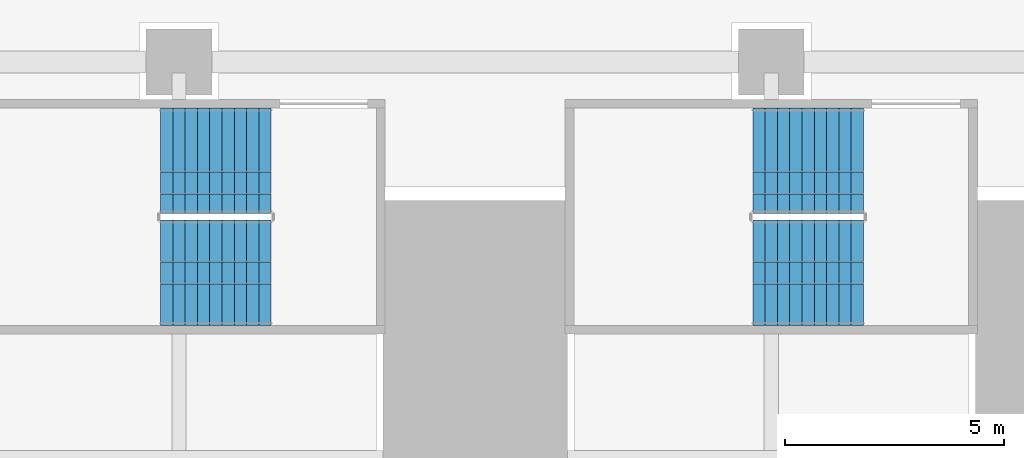
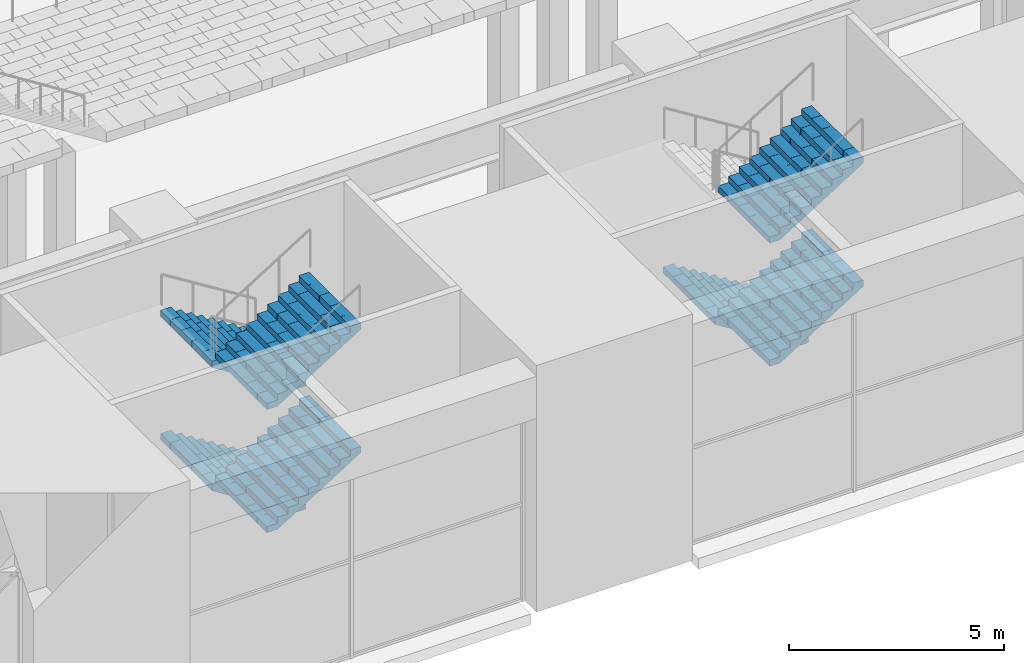
# One storey, part 43 of 62: 7 stair flights, 2 elements without a shape of their own.
"""IFC4 building model written with IfcOpenShell, lengths in metres."""

from ifc_helpers import new_model, si_unit, direction, frame, origin, place, context, subcontext, project, spatial, polyline, outline, extrude, material, type_object, element, aggregate, save


model = new_model("IFC4")

# Units and contexts
model_context = context("Model", 3, precision=1e-05, world=origin(), true_north=direction((0.0, 1.0)))
body_context = subcontext(model_context, "Body", "Model", "MODEL_VIEW")
ifc_project = project(units=[si_unit("LENGTHUNIT", "METRE"), si_unit("AREAUNIT", "SQUARE_METRE"), si_unit("VOLUMEUNIT", "CUBIC_METRE"), si_unit("PLANEANGLEUNIT", "RADIAN"), si_unit("MASSUNIT", "GRAM", prefix="KILO")], contexts=[model_context])

# Site, building, storey
site_placement = place(None, origin())
site = spatial("IfcSite", under=ifc_project, at=site_placement, CompositionType="ELEMENT")
building_placement = place(site_placement, origin())
building = spatial("IfcBuilding", under=site, at=building_placement, Name="Corbelhall Arena Tower", CompositionType="ELEMENT")
storey_placement = place(building_placement, frame((0.0, 0.0, 12.0)))
storey = spatial("IfcBuildingStorey", under=building, at=storey_placement, Name="L01", CompositionType="ELEMENT", Elevation=12.0)

# Stair, stair flights
ifc_material = material(Name="Reinforced concrete C40/50", Category="concrete")
stair_type = type_object("IfcStairType", Name="AR-EXIT-STAIR", PredefinedType="HALF_TURN_STAIR", material=ifc_material)
stair_1_placement = place(storey_placement, origin())
stair_1 = element("IfcStair", 1, at=stair_1_placement, inside=storey, type_object=stair_type, Name="L01 exit stair AS13", PredefinedType="HALF_TURN_STAIR")
stair_flight_type = type_object("IfcStairFlightType", Name="AR-EXIT-FLIGHT", PredefinedType="STRAIGHT", material=ifc_material)
stair_flight_1_placement = place(storey_placement, frame((-18.14990234375, -31.5, 0.0), z_axis=(0.0, 0.0, 1.0), x_axis=(-1.0, 0.0, 0.0)))
stair_flight_1 = element("IfcStairFlight", 2, at=stair_flight_1_placement, type_object=stair_flight_type, Name="AS13 flight 1", NumberOfRisers=10, NumberOfTreads=9, PredefinedType="STRAIGHT", RiserHeight=0.175, TreadLength=0.28, context=body_context, shape_type="SweptSolid", body=[
    extrude(outline(polyline([(0.0, 0.0), (0.0, 0.175048828125), (0.280029296875, 0.175048828125), (0.280029296875, 0.35009765625), (0.56005859375, 0.35009765625), (0.56005859375, 0.52490234375), (0.840087890625, 0.52490234375), (0.840087890625, 0.699951171875), (1.1201171875, 0.699951171875), (1.1201171875, 0.875), (1.39990234375, 0.875), (1.39990234375, 1.050048828125), (1.679931640625, 1.050048828125), (1.679931640625, 1.22509765625), (1.9599609375, 1.22509765625), (1.9599609375, 1.39990234375), (2.239990234375, 1.39990234375), (2.239990234375, 1.574951171875), (2.52001953125, 1.574951171875), (2.52001953125, 1.75), (2.52001953125, 1.398193359375), (0.28271484375, 0.0), (0.0, 0.0)])), frame((0.0, 1.199951171875, 0.0), z_axis=(0.0, -1.0, 0.0), x_axis=(1.0, 0.0, 0.0)), (0.0, 0.0, 1.0), 0.449951171875),
    extrude(outline(polyline([(0.0, 0.0), (0.0, 0.175048828125), (0.280029296875, 0.175048828125), (0.280029296875, 0.35009765625), (0.56005859375, 0.35009765625), (0.56005859375, 0.52490234375), (0.840087890625, 0.52490234375), (0.840087890625, 0.699951171875), (1.1201171875, 0.699951171875), (1.1201171875, 0.875), (1.39990234375, 0.875), (1.39990234375, 1.050048828125), (1.679931640625, 1.050048828125), (1.679931640625, 1.22509765625), (1.9599609375, 1.22509765625), (1.9599609375, 1.39990234375), (2.239990234375, 1.39990234375), (2.239990234375, 1.574951171875), (2.52001953125, 1.574951171875), (2.52001953125, 1.75), (2.52001953125, 1.398193359375), (0.28271484375, 0.0), (0.0, 0.0)])), frame((0.0, 0.745849609375, 0.0), z_axis=(0.0, -1.0, 0.0), x_axis=(1.0, 0.0, 0.0)), (0.0, 0.0, 1.0), 0.49462890625),
    extrude(outline(polyline([(0.0, 0.0), (0.0, 0.175048828125), (0.280029296875, 0.175048828125), (0.280029296875, 0.35009765625), (0.56005859375, 0.35009765625), (0.56005859375, 0.52490234375), (0.840087890625, 0.52490234375), (0.840087890625, 0.699951171875), (1.1201171875, 0.699951171875), (1.1201171875, 0.875), (1.39990234375, 0.875), (1.39990234375, 1.050048828125), (1.679931640625, 1.050048828125), (1.679931640625, 1.22509765625), (1.9599609375, 1.22509765625), (1.9599609375, 1.39990234375), (2.239990234375, 1.39990234375), (2.239990234375, 1.574951171875), (2.52001953125, 1.574951171875), (2.52001953125, 1.75), (2.52001953125, 1.398193359375), (0.28271484375, 0.0), (0.0, 0.0)])), frame((0.0, 0.247314453125, 0.0), z_axis=(0.0, -1.0, 0.0), x_axis=(1.0, 0.0, 0.0)), (0.0, 0.0, 1.0), 0.49462890625),
    extrude(outline(polyline([(0.0, 0.0), (0.0, 0.175048828125), (0.280029296875, 0.175048828125), (0.280029296875, 0.35009765625), (0.56005859375, 0.35009765625), (0.56005859375, 0.52490234375), (0.840087890625, 0.52490234375), (0.840087890625, 0.699951171875), (1.1201171875, 0.699951171875), (1.1201171875, 0.875), (1.39990234375, 0.875), (1.39990234375, 1.050048828125), (1.679931640625, 1.050048828125), (1.679931640625, 1.22509765625), (1.9599609375, 1.22509765625), (1.9599609375, 1.39990234375), (2.239990234375, 1.39990234375), (2.239990234375, 1.574951171875), (2.52001953125, 1.574951171875), (2.52001953125, 1.75), (2.52001953125, 1.398193359375), (0.28271484375, 0.0), (0.0, 0.0)])), frame((0.0, -0.251220703125, 0.0), z_axis=(0.0, -1.0, 0.0), x_axis=(1.0, 0.0, 0.0)), (0.0, 0.0, 1.0), 0.49462890625),
    extrude(outline(polyline([(0.0, 0.0), (0.0, 0.175048828125), (0.280029296875, 0.175048828125), (0.280029296875, 0.35009765625), (0.56005859375, 0.35009765625), (0.56005859375, 0.52490234375), (0.840087890625, 0.52490234375), (0.840087890625, 0.699951171875), (1.1201171875, 0.699951171875), (1.1201171875, 0.875), (1.39990234375, 0.875), (1.39990234375, 1.050048828125), (1.679931640625, 1.050048828125), (1.679931640625, 1.22509765625), (1.9599609375, 1.22509765625), (1.9599609375, 1.39990234375), (2.239990234375, 1.39990234375), (2.239990234375, 1.574951171875), (2.52001953125, 1.574951171875), (2.52001953125, 1.75), (2.52001953125, 1.398193359375), (0.28271484375, 0.0), (0.0, 0.0)])), frame((0.0, -0.75, 0.0), z_axis=(0.0, -1.0, 0.0), x_axis=(1.0, 0.0, 0.0)), (0.0, 0.0, 1.0), 0.449951171875),
])
stair_flight_2_placement = place(storey_placement, frame((-20.669921875, -34.050048828125, 1.75), z_axis=(0.0, 0.0, 1.0), x_axis=(1.0, 0.0, 0.0)))
stair_flight_2 = element("IfcStairFlight", 3, at=stair_flight_2_placement, type_object=stair_flight_type, Name="AS13 flight 2", NumberOfRisers=10, NumberOfTreads=9, PredefinedType="STRAIGHT", RiserHeight=0.175, TreadLength=0.28, context=body_context, shape_type="SweptSolid", body=[
    extrude(outline(polyline([(0.0, 0.0), (0.0, 0.175048828125), (0.280029296875, 0.175048828125), (0.280029296875, 0.35009765625), (0.56005859375, 0.35009765625), (0.56005859375, 0.52490234375), (0.840087890625, 0.52490234375), (0.840087890625, 0.699951171875), (1.1201171875, 0.699951171875), (1.1201171875, 0.875), (1.39990234375, 0.875), (1.39990234375, 1.050048828125), (1.679931640625, 1.050048828125), (1.679931640625, 1.22509765625), (1.9599609375, 1.22509765625), (1.9599609375, 1.39990234375), (2.239990234375, 1.39990234375), (2.239990234375, 1.574951171875), (2.52001953125, 1.574951171875), (2.52001953125, 1.75), (2.52001953125, 1.398193359375), (0.28271484375, 0.0), (0.0, 0.0)])), frame((0.0, 1.199951171875, 0.0), z_axis=(0.0, -1.0, 0.0), x_axis=(1.0, 0.0, 0.0)), (0.0, 0.0, 1.0), 0.449951171875),
    extrude(outline(polyline([(0.0, 0.0), (0.0, 0.175048828125), (0.280029296875, 0.175048828125), (0.280029296875, 0.35009765625), (0.56005859375, 0.35009765625), (0.56005859375, 0.52490234375), (0.840087890625, 0.52490234375), (0.840087890625, 0.699951171875), (1.1201171875, 0.699951171875), (1.1201171875, 0.875), (1.39990234375, 0.875), (1.39990234375, 1.050048828125), (1.679931640625, 1.050048828125), (1.679931640625, 1.22509765625), (1.9599609375, 1.22509765625), (1.9599609375, 1.39990234375), (2.239990234375, 1.39990234375), (2.239990234375, 1.574951171875), (2.52001953125, 1.574951171875), (2.52001953125, 1.75), (2.52001953125, 1.398193359375), (0.28271484375, 0.0), (0.0, 0.0)])), frame((0.0, 0.745849609375, 0.0), z_axis=(0.0, -1.0, 0.0), x_axis=(1.0, 0.0, 0.0)), (0.0, 0.0, 1.0), 0.49462890625),
    extrude(outline(polyline([(0.0, 0.0), (0.0, 0.175048828125), (0.280029296875, 0.175048828125), (0.280029296875, 0.35009765625), (0.56005859375, 0.35009765625), (0.56005859375, 0.52490234375), (0.840087890625, 0.52490234375), (0.840087890625, 0.699951171875), (1.1201171875, 0.699951171875), (1.1201171875, 0.875), (1.39990234375, 0.875), (1.39990234375, 1.050048828125), (1.679931640625, 1.050048828125), (1.679931640625, 1.22509765625), (1.9599609375, 1.22509765625), (1.9599609375, 1.39990234375), (2.239990234375, 1.39990234375), (2.239990234375, 1.574951171875), (2.52001953125, 1.574951171875), (2.52001953125, 1.75), (2.52001953125, 1.398193359375), (0.28271484375, 0.0), (0.0, 0.0)])), frame((0.0, 0.247314453125, 0.0), z_axis=(0.0, -1.0, 0.0), x_axis=(1.0, 0.0, 0.0)), (0.0, 0.0, 1.0), 0.49462890625),
    extrude(outline(polyline([(0.0, 0.0), (0.0, 0.175048828125), (0.280029296875, 0.175048828125), (0.280029296875, 0.35009765625), (0.56005859375, 0.35009765625), (0.56005859375, 0.52490234375), (0.840087890625, 0.52490234375), (0.840087890625, 0.699951171875), (1.1201171875, 0.699951171875), (1.1201171875, 0.875), (1.39990234375, 0.875), (1.39990234375, 1.050048828125), (1.679931640625, 1.050048828125), (1.679931640625, 1.22509765625), (1.9599609375, 1.22509765625), (1.9599609375, 1.39990234375), (2.239990234375, 1.39990234375), (2.239990234375, 1.574951171875), (2.52001953125, 1.574951171875), (2.52001953125, 1.75), (2.52001953125, 1.398193359375), (0.28271484375, 0.0), (0.0, 0.0)])), frame((0.0, -0.251220703125, 0.0), z_axis=(0.0, -1.0, 0.0), x_axis=(1.0, 0.0, 0.0)), (0.0, 0.0, 1.0), 0.49462890625),
    extrude(outline(polyline([(0.0, 0.0), (0.0, 0.175048828125), (0.280029296875, 0.175048828125), (0.280029296875, 0.35009765625), (0.56005859375, 0.35009765625), (0.56005859375, 0.52490234375), (0.840087890625, 0.52490234375), (0.840087890625, 0.699951171875), (1.1201171875, 0.699951171875), (1.1201171875, 0.875), (1.39990234375, 0.875), (1.39990234375, 1.050048828125), (1.679931640625, 1.050048828125), (1.679931640625, 1.22509765625), (1.9599609375, 1.22509765625), (1.9599609375, 1.39990234375), (2.239990234375, 1.39990234375), (2.239990234375, 1.574951171875), (2.52001953125, 1.574951171875), (2.52001953125, 1.75), (2.52001953125, 1.398193359375), (0.28271484375, 0.0), (0.0, 0.0)])), frame((0.0, -0.75, 0.0), z_axis=(0.0, -1.0, 0.0), x_axis=(1.0, 0.0, 0.0)), (0.0, 0.0, 1.0), 0.449951171875),
])
stair_flight_3_placement = place(storey_placement, frame((-18.14990234375, -31.5, 3.5), z_axis=(0.0, 0.0, 1.0), x_axis=(-1.0, 0.0, 0.0)))
stair_flight_3 = element("IfcStairFlight", 4, at=stair_flight_3_placement, type_object=stair_flight_type, Name="AS13 flight 3", NumberOfRisers=10, NumberOfTreads=9, PredefinedType="STRAIGHT", RiserHeight=0.175, TreadLength=0.28, context=body_context, shape_type="SweptSolid", body=[
    extrude(outline(polyline([(0.0, 0.0), (0.0, 0.175048828125), (0.280029296875, 0.175048828125), (0.280029296875, 0.35009765625), (0.56005859375, 0.35009765625), (0.56005859375, 0.52490234375), (0.840087890625, 0.52490234375), (0.840087890625, 0.699951171875), (1.1201171875, 0.699951171875), (1.1201171875, 0.875), (1.39990234375, 0.875), (1.39990234375, 1.050048828125), (1.679931640625, 1.050048828125), (1.679931640625, 1.22509765625), (1.9599609375, 1.22509765625), (1.9599609375, 1.39990234375), (2.239990234375, 1.39990234375), (2.239990234375, 1.574951171875), (2.52001953125, 1.574951171875), (2.52001953125, 1.75), (2.52001953125, 1.398193359375), (0.28271484375, 0.0), (0.0, 0.0)])), frame((0.0, 1.199951171875, 0.0), z_axis=(0.0, -1.0, 0.0), x_axis=(1.0, 0.0, 0.0)), (0.0, 0.0, 1.0), 0.449951171875),
    extrude(outline(polyline([(0.0, 0.0), (0.0, 0.175048828125), (0.280029296875, 0.175048828125), (0.280029296875, 0.35009765625), (0.56005859375, 0.35009765625), (0.56005859375, 0.52490234375), (0.840087890625, 0.52490234375), (0.840087890625, 0.699951171875), (1.1201171875, 0.699951171875), (1.1201171875, 0.875), (1.39990234375, 0.875), (1.39990234375, 1.050048828125), (1.679931640625, 1.050048828125), (1.679931640625, 1.22509765625), (1.9599609375, 1.22509765625), (1.9599609375, 1.39990234375), (2.239990234375, 1.39990234375), (2.239990234375, 1.574951171875), (2.52001953125, 1.574951171875), (2.52001953125, 1.75), (2.52001953125, 1.398193359375), (0.28271484375, 0.0), (0.0, 0.0)])), frame((0.0, 0.745849609375, 0.0), z_axis=(0.0, -1.0, 0.0), x_axis=(1.0, 0.0, 0.0)), (0.0, 0.0, 1.0), 0.49462890625),
    extrude(outline(polyline([(0.0, 0.0), (0.0, 0.175048828125), (0.280029296875, 0.175048828125), (0.280029296875, 0.35009765625), (0.56005859375, 0.35009765625), (0.56005859375, 0.52490234375), (0.840087890625, 0.52490234375), (0.840087890625, 0.699951171875), (1.1201171875, 0.699951171875), (1.1201171875, 0.875), (1.39990234375, 0.875), (1.39990234375, 1.050048828125), (1.679931640625, 1.050048828125), (1.679931640625, 1.22509765625), (1.9599609375, 1.22509765625), (1.9599609375, 1.39990234375), (2.239990234375, 1.39990234375), (2.239990234375, 1.574951171875), (2.52001953125, 1.574951171875), (2.52001953125, 1.75), (2.52001953125, 1.398193359375), (0.28271484375, 0.0), (0.0, 0.0)])), frame((0.0, 0.247314453125, 0.0), z_axis=(0.0, -1.0, 0.0), x_axis=(1.0, 0.0, 0.0)), (0.0, 0.0, 1.0), 0.49462890625),
    extrude(outline(polyline([(0.0, 0.0), (0.0, 0.175048828125), (0.280029296875, 0.175048828125), (0.280029296875, 0.35009765625), (0.56005859375, 0.35009765625), (0.56005859375, 0.52490234375), (0.840087890625, 0.52490234375), (0.840087890625, 0.699951171875), (1.1201171875, 0.699951171875), (1.1201171875, 0.875), (1.39990234375, 0.875), (1.39990234375, 1.050048828125), (1.679931640625, 1.050048828125), (1.679931640625, 1.22509765625), (1.9599609375, 1.22509765625), (1.9599609375, 1.39990234375), (2.239990234375, 1.39990234375), (2.239990234375, 1.574951171875), (2.52001953125, 1.574951171875), (2.52001953125, 1.75), (2.52001953125, 1.398193359375), (0.28271484375, 0.0), (0.0, 0.0)])), frame((0.0, -0.251220703125, 0.0), z_axis=(0.0, -1.0, 0.0), x_axis=(1.0, 0.0, 0.0)), (0.0, 0.0, 1.0), 0.49462890625),
    extrude(outline(polyline([(0.0, 0.0), (0.0, 0.175048828125), (0.280029296875, 0.175048828125), (0.280029296875, 0.35009765625), (0.56005859375, 0.35009765625), (0.56005859375, 0.52490234375), (0.840087890625, 0.52490234375), (0.840087890625, 0.699951171875), (1.1201171875, 0.699951171875), (1.1201171875, 0.875), (1.39990234375, 0.875), (1.39990234375, 1.050048828125), (1.679931640625, 1.050048828125), (1.679931640625, 1.22509765625), (1.9599609375, 1.22509765625), (1.9599609375, 1.39990234375), (2.239990234375, 1.39990234375), (2.239990234375, 1.574951171875), (2.52001953125, 1.574951171875), (2.52001953125, 1.75), (2.52001953125, 1.398193359375), (0.28271484375, 0.0), (0.0, 0.0)])), frame((0.0, -0.75, 0.0), z_axis=(0.0, -1.0, 0.0), x_axis=(1.0, 0.0, 0.0)), (0.0, 0.0, 1.0), 0.449951171875),
])
stair_flight_4_placement = place(storey_placement, frame((-20.669921875, -34.050048828125, 5.25), z_axis=(0.0, 0.0, 1.0), x_axis=(1.0, 0.0, 0.0)))
stair_flight_4 = element("IfcStairFlight", 5, at=stair_flight_4_placement, type_object=stair_flight_type, Name="AS13 flight 4", NumberOfRisers=10, NumberOfTreads=9, PredefinedType="STRAIGHT", RiserHeight=0.175, TreadLength=0.28, context=body_context, shape_type="SweptSolid", body=[
    extrude(outline(polyline([(0.0, 0.0), (0.0, 0.175048828125), (0.280029296875, 0.175048828125), (0.280029296875, 0.35009765625), (0.56005859375, 0.35009765625), (0.56005859375, 0.52490234375), (0.840087890625, 0.52490234375), (0.840087890625, 0.699951171875), (1.1201171875, 0.699951171875), (1.1201171875, 0.875), (1.39990234375, 0.875), (1.39990234375, 1.050048828125), (1.679931640625, 1.050048828125), (1.679931640625, 1.22509765625), (1.9599609375, 1.22509765625), (1.9599609375, 1.39990234375), (2.239990234375, 1.39990234375), (2.239990234375, 1.574951171875), (2.52001953125, 1.574951171875), (2.52001953125, 1.75), (2.52001953125, 1.398193359375), (0.28271484375, 0.0), (0.0, 0.0)])), frame((0.0, 1.199951171875, 0.0), z_axis=(0.0, -1.0, 0.0), x_axis=(1.0, 0.0, 0.0)), (0.0, 0.0, 1.0), 0.449951171875),
    extrude(outline(polyline([(0.0, 0.0), (0.0, 0.175048828125), (0.280029296875, 0.175048828125), (0.280029296875, 0.35009765625), (0.56005859375, 0.35009765625), (0.56005859375, 0.52490234375), (0.840087890625, 0.52490234375), (0.840087890625, 0.699951171875), (1.1201171875, 0.699951171875), (1.1201171875, 0.875), (1.39990234375, 0.875), (1.39990234375, 1.050048828125), (1.679931640625, 1.050048828125), (1.679931640625, 1.22509765625), (1.9599609375, 1.22509765625), (1.9599609375, 1.39990234375), (2.239990234375, 1.39990234375), (2.239990234375, 1.574951171875), (2.52001953125, 1.574951171875), (2.52001953125, 1.75), (2.52001953125, 1.398193359375), (0.28271484375, 0.0), (0.0, 0.0)])), frame((0.0, 0.745849609375, 0.0), z_axis=(0.0, -1.0, 0.0), x_axis=(1.0, 0.0, 0.0)), (0.0, 0.0, 1.0), 0.49462890625),
    extrude(outline(polyline([(0.0, 0.0), (0.0, 0.175048828125), (0.280029296875, 0.175048828125), (0.280029296875, 0.35009765625), (0.56005859375, 0.35009765625), (0.56005859375, 0.52490234375), (0.840087890625, 0.52490234375), (0.840087890625, 0.699951171875), (1.1201171875, 0.699951171875), (1.1201171875, 0.875), (1.39990234375, 0.875), (1.39990234375, 1.050048828125), (1.679931640625, 1.050048828125), (1.679931640625, 1.22509765625), (1.9599609375, 1.22509765625), (1.9599609375, 1.39990234375), (2.239990234375, 1.39990234375), (2.239990234375, 1.574951171875), (2.52001953125, 1.574951171875), (2.52001953125, 1.75), (2.52001953125, 1.398193359375), (0.28271484375, 0.0), (0.0, 0.0)])), frame((0.0, 0.247314453125, 0.0), z_axis=(0.0, -1.0, 0.0), x_axis=(1.0, 0.0, 0.0)), (0.0, 0.0, 1.0), 0.49462890625),
    extrude(outline(polyline([(0.0, 0.0), (0.0, 0.175048828125), (0.280029296875, 0.175048828125), (0.280029296875, 0.35009765625), (0.56005859375, 0.35009765625), (0.56005859375, 0.52490234375), (0.840087890625, 0.52490234375), (0.840087890625, 0.699951171875), (1.1201171875, 0.699951171875), (1.1201171875, 0.875), (1.39990234375, 0.875), (1.39990234375, 1.050048828125), (1.679931640625, 1.050048828125), (1.679931640625, 1.22509765625), (1.9599609375, 1.22509765625), (1.9599609375, 1.39990234375), (2.239990234375, 1.39990234375), (2.239990234375, 1.574951171875), (2.52001953125, 1.574951171875), (2.52001953125, 1.75), (2.52001953125, 1.398193359375), (0.28271484375, 0.0), (0.0, 0.0)])), frame((0.0, -0.251220703125, 0.0), z_axis=(0.0, -1.0, 0.0), x_axis=(1.0, 0.0, 0.0)), (0.0, 0.0, 1.0), 0.49462890625),
    extrude(outline(polyline([(0.0, 0.0), (0.0, 0.175048828125), (0.280029296875, 0.175048828125), (0.280029296875, 0.35009765625), (0.56005859375, 0.35009765625), (0.56005859375, 0.52490234375), (0.840087890625, 0.52490234375), (0.840087890625, 0.699951171875), (1.1201171875, 0.699951171875), (1.1201171875, 0.875), (1.39990234375, 0.875), (1.39990234375, 1.050048828125), (1.679931640625, 1.050048828125), (1.679931640625, 1.22509765625), (1.9599609375, 1.22509765625), (1.9599609375, 1.39990234375), (2.239990234375, 1.39990234375), (2.239990234375, 1.574951171875), (2.52001953125, 1.574951171875), (2.52001953125, 1.75), (2.52001953125, 1.398193359375), (0.28271484375, 0.0), (0.0, 0.0)])), frame((0.0, -0.75, 0.0), z_axis=(0.0, -1.0, 0.0), x_axis=(1.0, 0.0, 0.0)), (0.0, 0.0, 1.0), 0.449951171875),
])
aggregate(stair_1, [stair_flight_1, stair_flight_2, stair_flight_3, stair_flight_4])

stair_2_placement = place(storey_placement, origin())
stair_2 = element("IfcStair", 6, at=stair_2_placement, inside=storey, type_object=stair_type, Name="L01 exit stair AS14", PredefinedType="HALF_TURN_STAIR")
stair_flight_5_placement = place(storey_placement, frame((-4.64990234375, -31.5, 0.0), z_axis=(0.0, 0.0, 1.0), x_axis=(-1.0, 0.0, 0.0)))
stair_flight_5 = element("IfcStairFlight", 7, at=stair_flight_5_placement, type_object=stair_flight_type, Name="AS14 flight 1", NumberOfRisers=10, NumberOfTreads=9, PredefinedType="STRAIGHT", RiserHeight=0.175, TreadLength=0.28, context=body_context, shape_type="SweptSolid", body=[
    extrude(outline(polyline([(0.0, 0.0), (0.0, 0.175048828125), (0.280029296875, 0.175048828125), (0.280029296875, 0.35009765625), (0.56005859375, 0.35009765625), (0.56005859375, 0.52490234375), (0.840087890625, 0.52490234375), (0.840087890625, 0.699951171875), (1.1201171875, 0.699951171875), (1.1201171875, 0.875), (1.39990234375, 0.875), (1.39990234375, 1.050048828125), (1.679931640625, 1.050048828125), (1.679931640625, 1.22509765625), (1.9599609375, 1.22509765625), (1.9599609375, 1.39990234375), (2.239990234375, 1.39990234375), (2.239990234375, 1.574951171875), (2.52001953125, 1.574951171875), (2.52001953125, 1.75), (2.52001953125, 1.398193359375), (0.28271484375, 0.0), (0.0, 0.0)])), frame((0.0, 1.199951171875, 0.0), z_axis=(0.0, -1.0, 0.0), x_axis=(1.0, 0.0, 0.0)), (0.0, 0.0, 1.0), 0.449951171875),
    extrude(outline(polyline([(0.0, 0.0), (0.0, 0.175048828125), (0.280029296875, 0.175048828125), (0.280029296875, 0.35009765625), (0.56005859375, 0.35009765625), (0.56005859375, 0.52490234375), (0.840087890625, 0.52490234375), (0.840087890625, 0.699951171875), (1.1201171875, 0.699951171875), (1.1201171875, 0.875), (1.39990234375, 0.875), (1.39990234375, 1.050048828125), (1.679931640625, 1.050048828125), (1.679931640625, 1.22509765625), (1.9599609375, 1.22509765625), (1.9599609375, 1.39990234375), (2.239990234375, 1.39990234375), (2.239990234375, 1.574951171875), (2.52001953125, 1.574951171875), (2.52001953125, 1.75), (2.52001953125, 1.398193359375), (0.28271484375, 0.0), (0.0, 0.0)])), frame((0.0, 0.745849609375, 0.0), z_axis=(0.0, -1.0, 0.0), x_axis=(1.0, 0.0, 0.0)), (0.0, 0.0, 1.0), 0.49462890625),
    extrude(outline(polyline([(0.0, 0.0), (0.0, 0.175048828125), (0.280029296875, 0.175048828125), (0.280029296875, 0.35009765625), (0.56005859375, 0.35009765625), (0.56005859375, 0.52490234375), (0.840087890625, 0.52490234375), (0.840087890625, 0.699951171875), (1.1201171875, 0.699951171875), (1.1201171875, 0.875), (1.39990234375, 0.875), (1.39990234375, 1.050048828125), (1.679931640625, 1.050048828125), (1.679931640625, 1.22509765625), (1.9599609375, 1.22509765625), (1.9599609375, 1.39990234375), (2.239990234375, 1.39990234375), (2.239990234375, 1.574951171875), (2.52001953125, 1.574951171875), (2.52001953125, 1.75), (2.52001953125, 1.398193359375), (0.28271484375, 0.0), (0.0, 0.0)])), frame((0.0, 0.247314453125, 0.0), z_axis=(0.0, -1.0, 0.0), x_axis=(1.0, 0.0, 0.0)), (0.0, 0.0, 1.0), 0.49462890625),
    extrude(outline(polyline([(0.0, 0.0), (0.0, 0.175048828125), (0.280029296875, 0.175048828125), (0.280029296875, 0.35009765625), (0.56005859375, 0.35009765625), (0.56005859375, 0.52490234375), (0.840087890625, 0.52490234375), (0.840087890625, 0.699951171875), (1.1201171875, 0.699951171875), (1.1201171875, 0.875), (1.39990234375, 0.875), (1.39990234375, 1.050048828125), (1.679931640625, 1.050048828125), (1.679931640625, 1.22509765625), (1.9599609375, 1.22509765625), (1.9599609375, 1.39990234375), (2.239990234375, 1.39990234375), (2.239990234375, 1.574951171875), (2.52001953125, 1.574951171875), (2.52001953125, 1.75), (2.52001953125, 1.398193359375), (0.28271484375, 0.0), (0.0, 0.0)])), frame((0.0, -0.251220703125, 0.0), z_axis=(0.0, -1.0, 0.0), x_axis=(1.0, 0.0, 0.0)), (0.0, 0.0, 1.0), 0.49462890625),
    extrude(outline(polyline([(0.0, 0.0), (0.0, 0.175048828125), (0.280029296875, 0.175048828125), (0.280029296875, 0.35009765625), (0.56005859375, 0.35009765625), (0.56005859375, 0.52490234375), (0.840087890625, 0.52490234375), (0.840087890625, 0.699951171875), (1.1201171875, 0.699951171875), (1.1201171875, 0.875), (1.39990234375, 0.875), (1.39990234375, 1.050048828125), (1.679931640625, 1.050048828125), (1.679931640625, 1.22509765625), (1.9599609375, 1.22509765625), (1.9599609375, 1.39990234375), (2.239990234375, 1.39990234375), (2.239990234375, 1.574951171875), (2.52001953125, 1.574951171875), (2.52001953125, 1.75), (2.52001953125, 1.398193359375), (0.28271484375, 0.0), (0.0, 0.0)])), frame((0.0, -0.75, 0.0), z_axis=(0.0, -1.0, 0.0), x_axis=(1.0, 0.0, 0.0)), (0.0, 0.0, 1.0), 0.449951171875),
])
stair_flight_6_placement = place(storey_placement, frame((-7.169921875, -34.050048828125, 1.75), z_axis=(0.0, 0.0, 1.0), x_axis=(1.0, 0.0, 0.0)))
stair_flight_6 = element("IfcStairFlight", 8, at=stair_flight_6_placement, type_object=stair_flight_type, Name="AS14 flight 2", NumberOfRisers=10, NumberOfTreads=9, PredefinedType="STRAIGHT", RiserHeight=0.175, TreadLength=0.28, context=body_context, shape_type="SweptSolid", body=[
    extrude(outline(polyline([(0.0, 0.0), (0.0, 0.175048828125), (0.280029296875, 0.175048828125), (0.280029296875, 0.35009765625), (0.56005859375, 0.35009765625), (0.56005859375, 0.52490234375), (0.840087890625, 0.52490234375), (0.840087890625, 0.699951171875), (1.1201171875, 0.699951171875), (1.1201171875, 0.875), (1.39990234375, 0.875), (1.39990234375, 1.050048828125), (1.679931640625, 1.050048828125), (1.679931640625, 1.22509765625), (1.9599609375, 1.22509765625), (1.9599609375, 1.39990234375), (2.239990234375, 1.39990234375), (2.239990234375, 1.574951171875), (2.52001953125, 1.574951171875), (2.52001953125, 1.75), (2.52001953125, 1.398193359375), (0.28271484375, 0.0), (0.0, 0.0)])), frame((0.0, 1.199951171875, 0.0), z_axis=(0.0, -1.0, 0.0), x_axis=(1.0, 0.0, 0.0)), (0.0, 0.0, 1.0), 0.449951171875),
    extrude(outline(polyline([(0.0, 0.0), (0.0, 0.175048828125), (0.280029296875, 0.175048828125), (0.280029296875, 0.35009765625), (0.56005859375, 0.35009765625), (0.56005859375, 0.52490234375), (0.840087890625, 0.52490234375), (0.840087890625, 0.699951171875), (1.1201171875, 0.699951171875), (1.1201171875, 0.875), (1.39990234375, 0.875), (1.39990234375, 1.050048828125), (1.679931640625, 1.050048828125), (1.679931640625, 1.22509765625), (1.9599609375, 1.22509765625), (1.9599609375, 1.39990234375), (2.239990234375, 1.39990234375), (2.239990234375, 1.574951171875), (2.52001953125, 1.574951171875), (2.52001953125, 1.75), (2.52001953125, 1.398193359375), (0.28271484375, 0.0), (0.0, 0.0)])), frame((0.0, 0.745849609375, 0.0), z_axis=(0.0, -1.0, 0.0), x_axis=(1.0, 0.0, 0.0)), (0.0, 0.0, 1.0), 0.49462890625),
    extrude(outline(polyline([(0.0, 0.0), (0.0, 0.175048828125), (0.280029296875, 0.175048828125), (0.280029296875, 0.35009765625), (0.56005859375, 0.35009765625), (0.56005859375, 0.52490234375), (0.840087890625, 0.52490234375), (0.840087890625, 0.699951171875), (1.1201171875, 0.699951171875), (1.1201171875, 0.875), (1.39990234375, 0.875), (1.39990234375, 1.050048828125), (1.679931640625, 1.050048828125), (1.679931640625, 1.22509765625), (1.9599609375, 1.22509765625), (1.9599609375, 1.39990234375), (2.239990234375, 1.39990234375), (2.239990234375, 1.574951171875), (2.52001953125, 1.574951171875), (2.52001953125, 1.75), (2.52001953125, 1.398193359375), (0.28271484375, 0.0), (0.0, 0.0)])), frame((0.0, 0.247314453125, 0.0), z_axis=(0.0, -1.0, 0.0), x_axis=(1.0, 0.0, 0.0)), (0.0, 0.0, 1.0), 0.49462890625),
    extrude(outline(polyline([(0.0, 0.0), (0.0, 0.175048828125), (0.280029296875, 0.175048828125), (0.280029296875, 0.35009765625), (0.56005859375, 0.35009765625), (0.56005859375, 0.52490234375), (0.840087890625, 0.52490234375), (0.840087890625, 0.699951171875), (1.1201171875, 0.699951171875), (1.1201171875, 0.875), (1.39990234375, 0.875), (1.39990234375, 1.050048828125), (1.679931640625, 1.050048828125), (1.679931640625, 1.22509765625), (1.9599609375, 1.22509765625), (1.9599609375, 1.39990234375), (2.239990234375, 1.39990234375), (2.239990234375, 1.574951171875), (2.52001953125, 1.574951171875), (2.52001953125, 1.75), (2.52001953125, 1.398193359375), (0.28271484375, 0.0), (0.0, 0.0)])), frame((0.0, -0.251220703125, 0.0), z_axis=(0.0, -1.0, 0.0), x_axis=(1.0, 0.0, 0.0)), (0.0, 0.0, 1.0), 0.49462890625),
    extrude(outline(polyline([(0.0, 0.0), (0.0, 0.175048828125), (0.280029296875, 0.175048828125), (0.280029296875, 0.35009765625), (0.56005859375, 0.35009765625), (0.56005859375, 0.52490234375), (0.840087890625, 0.52490234375), (0.840087890625, 0.699951171875), (1.1201171875, 0.699951171875), (1.1201171875, 0.875), (1.39990234375, 0.875), (1.39990234375, 1.050048828125), (1.679931640625, 1.050048828125), (1.679931640625, 1.22509765625), (1.9599609375, 1.22509765625), (1.9599609375, 1.39990234375), (2.239990234375, 1.39990234375), (2.239990234375, 1.574951171875), (2.52001953125, 1.574951171875), (2.52001953125, 1.75), (2.52001953125, 1.398193359375), (0.28271484375, 0.0), (0.0, 0.0)])), frame((0.0, -0.75, 0.0), z_axis=(0.0, -1.0, 0.0), x_axis=(1.0, 0.0, 0.0)), (0.0, 0.0, 1.0), 0.449951171875),
])
stair_flight_7_placement = place(storey_placement, frame((-7.169921875, -34.050048828125, 5.25), z_axis=(0.0, 0.0, 1.0), x_axis=(1.0, 0.0, 0.0)))
stair_flight_7 = element("IfcStairFlight", 9, at=stair_flight_7_placement, type_object=stair_flight_type, Name="AS14 flight 4", NumberOfRisers=10, NumberOfTreads=9, PredefinedType="STRAIGHT", RiserHeight=0.175, TreadLength=0.28, context=body_context, shape_type="SweptSolid", body=[
    extrude(outline(polyline([(0.0, 0.0), (0.0, 0.175048828125), (0.280029296875, 0.175048828125), (0.280029296875, 0.35009765625), (0.56005859375, 0.35009765625), (0.56005859375, 0.52490234375), (0.840087890625, 0.52490234375), (0.840087890625, 0.699951171875), (1.1201171875, 0.699951171875), (1.1201171875, 0.875), (1.39990234375, 0.875), (1.39990234375, 1.050048828125), (1.679931640625, 1.050048828125), (1.679931640625, 1.22509765625), (1.9599609375, 1.22509765625), (1.9599609375, 1.39990234375), (2.239990234375, 1.39990234375), (2.239990234375, 1.574951171875), (2.52001953125, 1.574951171875), (2.52001953125, 1.75), (2.52001953125, 1.398193359375), (0.28271484375, 0.0), (0.0, 0.0)])), frame((0.0, 1.199951171875, 0.0), z_axis=(0.0, -1.0, 0.0), x_axis=(1.0, 0.0, 0.0)), (0.0, 0.0, 1.0), 0.449951171875),
    extrude(outline(polyline([(0.0, 0.0), (0.0, 0.175048828125), (0.280029296875, 0.175048828125), (0.280029296875, 0.35009765625), (0.56005859375, 0.35009765625), (0.56005859375, 0.52490234375), (0.840087890625, 0.52490234375), (0.840087890625, 0.699951171875), (1.1201171875, 0.699951171875), (1.1201171875, 0.875), (1.39990234375, 0.875), (1.39990234375, 1.050048828125), (1.679931640625, 1.050048828125), (1.679931640625, 1.22509765625), (1.9599609375, 1.22509765625), (1.9599609375, 1.39990234375), (2.239990234375, 1.39990234375), (2.239990234375, 1.574951171875), (2.52001953125, 1.574951171875), (2.52001953125, 1.75), (2.52001953125, 1.398193359375), (0.28271484375, 0.0), (0.0, 0.0)])), frame((0.0, 0.745849609375, 0.0), z_axis=(0.0, -1.0, 0.0), x_axis=(1.0, 0.0, 0.0)), (0.0, 0.0, 1.0), 0.49462890625),
    extrude(outline(polyline([(0.0, 0.0), (0.0, 0.175048828125), (0.280029296875, 0.175048828125), (0.280029296875, 0.35009765625), (0.56005859375, 0.35009765625), (0.56005859375, 0.52490234375), (0.840087890625, 0.52490234375), (0.840087890625, 0.699951171875), (1.1201171875, 0.699951171875), (1.1201171875, 0.875), (1.39990234375, 0.875), (1.39990234375, 1.050048828125), (1.679931640625, 1.050048828125), (1.679931640625, 1.22509765625), (1.9599609375, 1.22509765625), (1.9599609375, 1.39990234375), (2.239990234375, 1.39990234375), (2.239990234375, 1.574951171875), (2.52001953125, 1.574951171875), (2.52001953125, 1.75), (2.52001953125, 1.398193359375), (0.28271484375, 0.0), (0.0, 0.0)])), frame((0.0, 0.247314453125, 0.0), z_axis=(0.0, -1.0, 0.0), x_axis=(1.0, 0.0, 0.0)), (0.0, 0.0, 1.0), 0.49462890625),
    extrude(outline(polyline([(0.0, 0.0), (0.0, 0.175048828125), (0.280029296875, 0.175048828125), (0.280029296875, 0.35009765625), (0.56005859375, 0.35009765625), (0.56005859375, 0.52490234375), (0.840087890625, 0.52490234375), (0.840087890625, 0.699951171875), (1.1201171875, 0.699951171875), (1.1201171875, 0.875), (1.39990234375, 0.875), (1.39990234375, 1.050048828125), (1.679931640625, 1.050048828125), (1.679931640625, 1.22509765625), (1.9599609375, 1.22509765625), (1.9599609375, 1.39990234375), (2.239990234375, 1.39990234375), (2.239990234375, 1.574951171875), (2.52001953125, 1.574951171875), (2.52001953125, 1.75), (2.52001953125, 1.398193359375), (0.28271484375, 0.0), (0.0, 0.0)])), frame((0.0, -0.251220703125, 0.0), z_axis=(0.0, -1.0, 0.0), x_axis=(1.0, 0.0, 0.0)), (0.0, 0.0, 1.0), 0.49462890625),
    extrude(outline(polyline([(0.0, 0.0), (0.0, 0.175048828125), (0.280029296875, 0.175048828125), (0.280029296875, 0.35009765625), (0.56005859375, 0.35009765625), (0.56005859375, 0.52490234375), (0.840087890625, 0.52490234375), (0.840087890625, 0.699951171875), (1.1201171875, 0.699951171875), (1.1201171875, 0.875), (1.39990234375, 0.875), (1.39990234375, 1.050048828125), (1.679931640625, 1.050048828125), (1.679931640625, 1.22509765625), (1.9599609375, 1.22509765625), (1.9599609375, 1.39990234375), (2.239990234375, 1.39990234375), (2.239990234375, 1.574951171875), (2.52001953125, 1.574951171875), (2.52001953125, 1.75), (2.52001953125, 1.398193359375), (0.28271484375, 0.0), (0.0, 0.0)])), frame((0.0, -0.75, 0.0), z_axis=(0.0, -1.0, 0.0), x_axis=(1.0, 0.0, 0.0)), (0.0, 0.0, 1.0), 0.449951171875),
])
aggregate(stair_2, [stair_flight_5, stair_flight_6, stair_flight_7])

save(model, "model.ifc")
